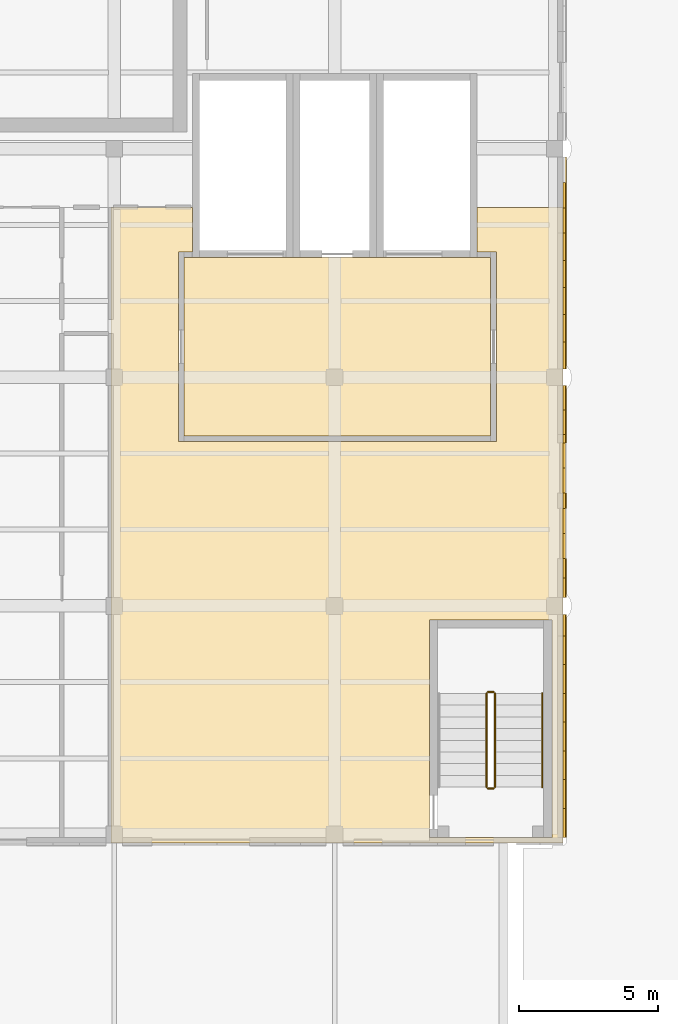
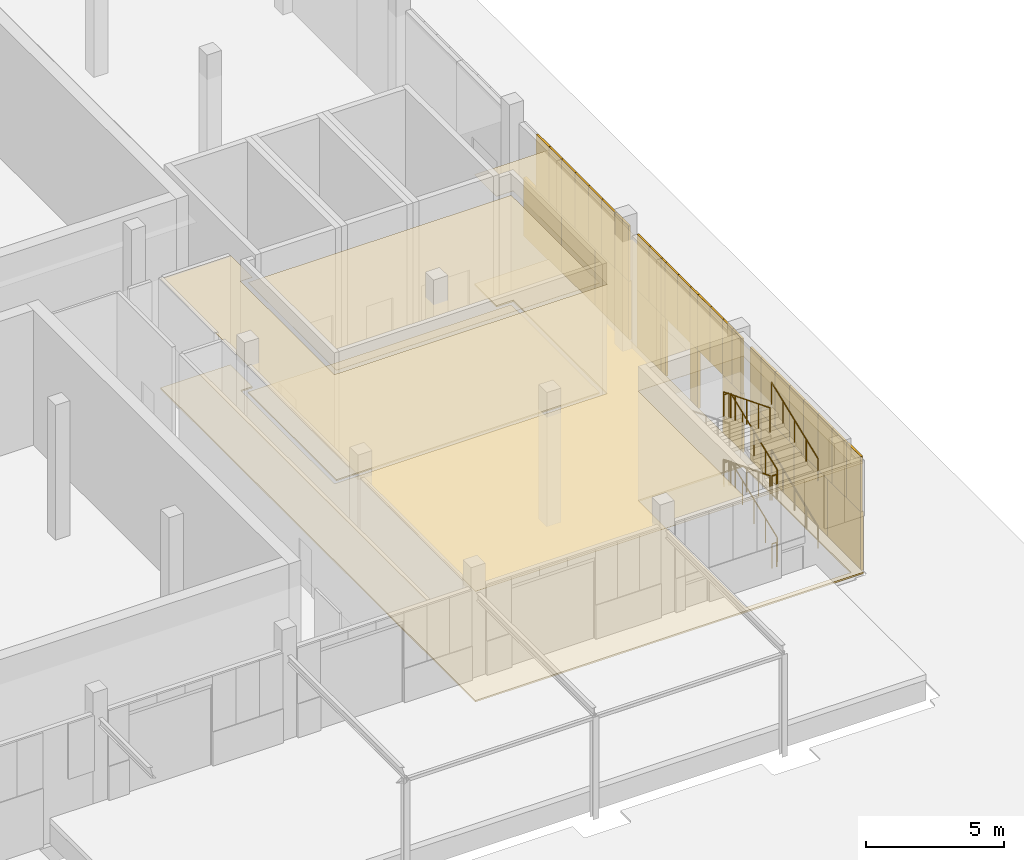
# One storey, part 149 of 155: 40 coverings, 10 railings.
"""IFC4 building model written with IfcOpenShell, lengths in metres."""

from ifc_helpers import new_model, si_unit, direction, frame, origin, origin_2d, place, context, subcontext, project, spatial, polyline, rectangle, circle, outline, extrude, material, layer, layer_set, type_object, element, save


model = new_model("IFC4")

# Units and contexts
model_context = context("Model", 3, precision=1e-05, world=origin(), true_north=direction((0.0, 1.0)))
body_context = subcontext(model_context, "Body", "Model", "MODEL_VIEW")
ifc_project = project(units=[si_unit("LENGTHUNIT", "METRE"), si_unit("AREAUNIT", "SQUARE_METRE"), si_unit("VOLUMEUNIT", "CUBIC_METRE"), si_unit("PLANEANGLEUNIT", "RADIAN"), si_unit("MASSUNIT", "GRAM", prefix="KILO")], contexts=[model_context])

# Site, building, storey
site_placement = place(None, origin())
site = spatial("IfcSite", under=ifc_project, at=site_placement, CompositionType="ELEMENT")
building_placement = place(site_placement, origin())
building = spatial("IfcBuilding", under=site, at=building_placement, Name="Lunette Opera House", CompositionType="ELEMENT")
storey_placement = place(building_placement, origin())
storey = spatial("IfcBuildingStorey", under=building, at=storey_placement, Name="L00", CompositionType="ELEMENT", Elevation=0.0)

# Coverings
ifc_material_1 = material(Name="Clinker brick", Category="masonry")
ifc_layer_1 = layer(ifc_material_1, 0.114990234375)
ifc_layer_set_1 = layer_set([ifc_layer_1], Name="Clinker brick")
covering_type_1 = type_object("IfcCoveringType", Name="CLINKER CLADDING 115", PredefinedType="CLADDING", material=ifc_layer_set_1)
for number, where, z_axis, x_axis, name in (
    (1, (184.05810546875, 79.404052734375, 0.0), (0.0, 0.0, 1.0), (0.0, 1.0, 0.0), "Clinker Cladding 115 WB L00"),
    (2, (184.05810546875, 81.81201171875, 0.0), (0.0, 0.0, 1.0), (0.0, 1.0, 0.0), "Clinker Cladding 115 WB L00"),
    (3, (184.05810546875, 84.220947265625, 0.0), (0.0, 0.0, 1.0), (0.0, 1.0, 0.0), "Clinker Cladding 115 WB L00"),
):
    element("IfcCovering", number, at=place(storey_placement, frame(where, z_axis=z_axis, x_axis=x_axis)), inside=storey, type_object=covering_type_1, Name=name, PredefinedType="CLADDING", context=body_context, shape_type="SweptSolid", body=[
        extrude(rectangle(XDim=2.407958984375, YDim=0.114990234375, at=origin_2d()), origin(), (0.0, 0.0, 1.0), 2.60009765625),
    ])
covering_1_placement = place(storey_placement, frame((184.05810546875, 85.81201171875, 0.0), z_axis=(0.0, 0.0, 1.0), x_axis=(0.0, 1.0, 0.0)))
element("IfcCovering", 4, at=covering_1_placement, inside=storey, type_object=covering_type_1, Name="Clinker Cladding 115 WB L00", PredefinedType="CLADDING", context=body_context, shape_type="SweptSolid", body=[
    extrude(rectangle(XDim=0.77490234375, YDim=0.114990234375, at=origin_2d()), origin(), (0.0, 0.0, 1.0), 2.60009765625),
])
covering_2_placement = place(storey_placement, frame((184.05810546875, 87.5, 0.0), z_axis=(0.0, 0.0, 1.0), x_axis=(0.0, 1.0, 0.0)))
element("IfcCovering", 5, at=covering_2_placement, inside=storey, type_object=covering_type_1, Name="Clinker Cladding 115 WB L00", PredefinedType="CLADDING", context=body_context, shape_type="SweptSolid", body=[
    extrude(rectangle(XDim=1.39990234375, YDim=0.114990234375, at=origin_2d()), origin(), (0.0, 0.0, 1.0), 2.60009765625),
])
covering_3_placement = place(storey_placement, frame((184.05810546875, 90.27490234375, 0.0), z_axis=(0.0, 0.0, 1.0), x_axis=(0.0, 1.0, 0.0)))
element("IfcCovering", 6, at=covering_3_placement, inside=storey, type_object=covering_type_1, Name="Clinker Cladding 115 WB L00", PredefinedType="CLADDING", context=body_context, shape_type="SweptSolid", body=[
    extrude(rectangle(XDim=0.550048828125, YDim=0.114990234375, at=origin_2d()), origin(), (0.0, 0.0, 1.0), 2.60009765625),
])
covering_4_placement = place(storey_placement, frame((184.05810546875, 92.5, 0.0), z_axis=(0.0, 0.0, 1.0), x_axis=(0.0, 1.0, 0.0)))
element("IfcCovering", 7, at=covering_4_placement, inside=storey, type_object=covering_type_1, Name="Clinker Cladding 115 WB L00", PredefinedType="CLADDING", context=body_context, shape_type="SweptSolid", body=[
    extrude(rectangle(XDim=0.300048828125, YDim=0.114990234375, at=origin_2d()), origin(), (0.0, 0.0, 1.0), 2.60009765625),
])
covering_5_placement = place(storey_placement, frame((184.05810546875, 93.52490234375, 0.0), z_axis=(0.0, 0.0, 1.0), x_axis=(0.0, 1.0, 0.0)))
element("IfcCovering", 8, at=covering_5_placement, inside=storey, type_object=covering_type_1, Name="Clinker Cladding 115 WB L00", PredefinedType="CLADDING", context=body_context, shape_type="SweptSolid", body=[
    extrude(rectangle(XDim=1.75, YDim=0.114990234375, at=origin_2d()), origin(), (0.0, 0.0, 1.0), 2.60009765625),
])
for number, where, z_axis, x_axis, name in (
    (9, (184.05810546875, 96.218994140625, 0.0), (0.0, 0.0, 1.0), (0.0, 1.0, 0.0), "Clinker Cladding 115 WB L00"),
    (10, (184.05810546875, 98.656005859375, 0.0), (0.0, 0.0, 1.0), (0.0, 1.0, 0.0), "Clinker Cladding 115 WB L00"),
):
    element("IfcCovering", number, at=place(storey_placement, frame(where, z_axis=z_axis, x_axis=x_axis)), inside=storey, type_object=covering_type_1, Name=name, PredefinedType="CLADDING", context=body_context, shape_type="SweptSolid", body=[
        extrude(rectangle(XDim=2.43798828125, YDim=0.114990234375, at=origin_2d()), origin(), (0.0, 0.0, 1.0), 2.60009765625),
    ])
covering_6_placement = place(storey_placement, frame((184.05810546875, 101.237060546875, 0.0), z_axis=(0.0, 0.0, 1.0), x_axis=(0.0, 1.0, 0.0)))
element("IfcCovering", 11, at=covering_6_placement, inside=storey, type_object=covering_type_1, Name="Clinker Cladding 115 WB L00", PredefinedType="CLADDING", context=body_context, shape_type="SweptSolid", body=[
    extrude(rectangle(XDim=2.72509765625, YDim=0.114990234375, at=origin_2d()), origin(), (0.0, 0.0, 1.0), 2.60009765625),
])
ifc_material_2 = material(Name="Dark grey aluminium cassette", Category="aluminium")
ifc_layer_2 = layer(ifc_material_2, 0.080078125)
ifc_layer_set_2 = layer_set([ifc_layer_2], Name="Dark grey aluminium cassette")
covering_type_2 = type_object("IfcCoveringType", Name="DARK METAL CASSETTE 80", PredefinedType="CLADDING", material=ifc_layer_set_2)
for number, where, z_axis, x_axis, name in (
    (12, (184.0400390625, 78.716064453125, 2.60009765625), (0.0, 0.0, 1.0), (0.0, 1.0, 0.0), "Dark Metal Cassette 80 WK L00"),
    (13, (184.0400390625, 79.748046875, 2.60009765625), (0.0, 0.0, 1.0), (0.0, 1.0, 0.0), "Dark Metal Cassette 80 WK L00"),
    (14, (184.0400390625, 80.780029296875, 2.60009765625), (0.0, 0.0, 1.0), (0.0, 1.0, 0.0), "Dark Metal Cassette 80 WK L00"),
    (15, (184.0400390625, 81.81201171875, 2.60009765625), (0.0, 0.0, 1.0), (0.0, 1.0, 0.0), "Dark Metal Cassette 80 WK L00"),
    (16, (184.0400390625, 82.844970703125, 2.60009765625), (0.0, 0.0, 1.0), (0.0, 1.0, 0.0), "Dark Metal Cassette 80 WK L00"),
    (17, (184.0400390625, 83.876953125, 2.60009765625), (0.0, 0.0, 1.0), (0.0, 1.0, 0.0), "Dark Metal Cassette 80 WK L00"),
    (18, (184.0400390625, 84.908935546875, 2.60009765625), (0.0, 0.0, 1.0), (0.0, 1.0, 0.0), "Dark Metal Cassette 80 WK L00"),
):
    element("IfcCovering", number, at=place(storey_placement, frame(where, z_axis=z_axis, x_axis=x_axis)), inside=storey, type_object=covering_type_2, Name=name, PredefinedType="CLADDING", context=body_context, shape_type="SweptSolid", body=[
        extrude(rectangle(XDim=1.031982421875, YDim=0.080078125, at=origin_2d()), origin(), (0.0, 0.0, 1.0), 2.449951171875),
    ])
covering_7_placement = place(storey_placement, frame((184.0400390625, 85.81201171875, 2.60009765625), z_axis=(0.0, 0.0, 1.0), x_axis=(0.0, 1.0, 0.0)))
element("IfcCovering", 19, at=covering_7_placement, inside=storey, type_object=covering_type_2, Name="Dark Metal Cassette 80 WK L00", PredefinedType="CLADDING", context=body_context, shape_type="SweptSolid", body=[
    extrude(rectangle(XDim=0.77490234375, YDim=0.080078125, at=origin_2d()), origin(), (0.0, 0.0, 1.0), 2.449951171875),
])
for number, where, z_axis, x_axis, name in (
    (20, (184.0400390625, 87.14990234375, 2.60009765625), (0.0, 0.0, 1.0), (0.0, 1.0, 0.0), "Dark Metal Cassette 80 WK L00"),
    (21, (184.0400390625, 87.85009765625, 2.60009765625), (0.0, 0.0, 1.0), (0.0, 1.0, 0.0), "Dark Metal Cassette 80 WK L00"),
):
    element("IfcCovering", number, at=place(storey_placement, frame(where, z_axis=z_axis, x_axis=x_axis)), inside=storey, type_object=covering_type_2, Name=name, PredefinedType="CLADDING", context=body_context, shape_type="SweptSolid", body=[
        extrude(rectangle(XDim=0.699951171875, YDim=0.080078125, at=origin_2d()), origin(), (0.0, 0.0, 1.0), 2.449951171875),
    ])
for number, where, z_axis, x_axis, name in (
    (22, (184.0400390625, 88.64990234375, 2.60009765625), (0.0, 0.0, 1.0), (0.0, 1.0, 0.0), "Dark Metal Cassette 80 WK L00"),
    (23, (184.0400390625, 89.550048828125, 2.60009765625), (0.0, 0.0, 1.0), (0.0, 1.0, 0.0), "Dark Metal Cassette 80 WK L00"),
):
    element("IfcCovering", number, at=place(storey_placement, frame(where, z_axis=z_axis, x_axis=x_axis)), inside=storey, type_object=covering_type_2, Name=name, PredefinedType="CLADDING", context=body_context, shape_type="SweptSolid", body=[
        extrude(rectangle(XDim=0.89990234375, YDim=0.080078125, at=origin_2d()), origin(), (0.0, 0.0, 1.0), 2.449951171875),
    ])
covering_8_placement = place(storey_placement, frame((184.0400390625, 90.27490234375, 2.60009765625), z_axis=(0.0, 0.0, 1.0), x_axis=(0.0, 1.0, 0.0)))
element("IfcCovering", 24, at=covering_8_placement, inside=storey, type_object=covering_type_2, Name="Dark Metal Cassette 80 WK L00", PredefinedType="CLADDING", context=body_context, shape_type="SweptSolid", body=[
    extrude(rectangle(XDim=0.550048828125, YDim=0.080078125, at=origin_2d()), origin(), (0.0, 0.0, 1.0), 2.449951171875),
])
for number, where, z_axis, x_axis, name in (
    (25, (184.0400390625, 91.0, 2.60009765625), (0.0, 0.0, 1.0), (0.0, 1.0, 0.0), "Dark Metal Cassette 80 WK L00"),
    (26, (184.0400390625, 91.89990234375, 2.60009765625), (0.0, 0.0, 1.0), (0.0, 1.0, 0.0), "Dark Metal Cassette 80 WK L00"),
):
    element("IfcCovering", number, at=place(storey_placement, frame(where, z_axis=z_axis, x_axis=x_axis)), inside=storey, type_object=covering_type_2, Name=name, PredefinedType="CLADDING", context=body_context, shape_type="SweptSolid", body=[
        extrude(rectangle(XDim=0.89990234375, YDim=0.080078125, at=origin_2d()), origin(), (0.0, 0.0, 1.0), 2.449951171875),
    ])
covering_9_placement = place(storey_placement, frame((184.0400390625, 92.5, 2.60009765625), z_axis=(0.0, 0.0, 1.0), x_axis=(0.0, 1.0, 0.0)))
element("IfcCovering", 27, at=covering_9_placement, inside=storey, type_object=covering_type_2, Name="Dark Metal Cassette 80 WK L00", PredefinedType="CLADDING", context=body_context, shape_type="SweptSolid", body=[
    extrude(rectangle(XDim=0.300048828125, YDim=0.080078125, at=origin_2d()), origin(), (0.0, 0.0, 1.0), 2.449951171875),
])
for number, where, z_axis, x_axis, name in (
    (28, (184.0400390625, 93.087890625, 2.60009765625), (0.0, 0.0, 1.0), (0.0, 1.0, 0.0), "Dark Metal Cassette 80 WK L00"),
    (29, (184.0400390625, 93.962890625, 2.60009765625), (0.0, 0.0, 1.0), (0.0, 1.0, 0.0), "Dark Metal Cassette 80 WK L00"),
):
    element("IfcCovering", number, at=place(storey_placement, frame(where, z_axis=z_axis, x_axis=x_axis)), inside=storey, type_object=covering_type_2, Name=name, PredefinedType="CLADDING", context=body_context, shape_type="SweptSolid", body=[
        extrude(rectangle(XDim=0.875, YDim=0.080078125, at=origin_2d()), origin(), (0.0, 0.0, 1.0), 2.449951171875),
    ])
for number, where, z_axis, x_axis, name in (
    (30, (184.0400390625, 95.487060546875, 2.60009765625), (0.0, 0.0, 1.0), (0.0, 1.0, 0.0), "Dark Metal Cassette 80 WK L00"),
    (31, (184.0400390625, 96.462890625, 2.60009765625), (0.0, 0.0, 1.0), (0.0, 1.0, 0.0), "Dark Metal Cassette 80 WK L00"),
    (32, (184.0400390625, 97.43798828125, 2.60009765625), (0.0, 0.0, 1.0), (0.0, 1.0, 0.0), "Dark Metal Cassette 80 WK L00"),
    (33, (184.0400390625, 98.412109375, 2.60009765625), (0.0, 0.0, 1.0), (0.0, 1.0, 0.0), "Dark Metal Cassette 80 WK L00"),
    (34, (184.0400390625, 99.387939453125, 2.60009765625), (0.0, 0.0, 1.0), (0.0, 1.0, 0.0), "Dark Metal Cassette 80 WK L00"),
):
    element("IfcCovering", number, at=place(storey_placement, frame(where, z_axis=z_axis, x_axis=x_axis)), inside=storey, type_object=covering_type_2, Name=name, PredefinedType="CLADDING", context=body_context, shape_type="SweptSolid", body=[
        extrude(rectangle(XDim=0.97509765625, YDim=0.080078125, at=origin_2d()), origin(), (0.0, 0.0, 1.0), 2.449951171875),
    ])
for number, where, z_axis, x_axis, name in (
    (35, (184.0400390625, 100.3291015625, 2.60009765625), (0.0, 0.0, 1.0), (0.0, 1.0, 0.0), "Dark Metal Cassette 80 WK L00"),
    (36, (184.0400390625, 101.237060546875, 2.60009765625), (0.0, 0.0, 1.0), (0.0, 1.0, 0.0), "Dark Metal Cassette 80 WK L00"),
):
    element("IfcCovering", number, at=place(storey_placement, frame(where, z_axis=z_axis, x_axis=x_axis)), inside=storey, type_object=covering_type_2, Name=name, PredefinedType="CLADDING", context=body_context, shape_type="SweptSolid", body=[
        extrude(rectangle(XDim=0.907958984375, YDim=0.080078125, at=origin_2d()), origin(), (0.0, 0.0, 1.0), 2.449951171875),
    ])
ifc_material_3 = material(Name="Cement screed")
ifc_layer_3 = layer(ifc_material_3, 0.070068359375)
ifc_layer_set_3 = layer_set([ifc_layer_3], Name="Cement screed")
covering_type_3 = type_object("IfcCoveringType", Name="SCREED FLOOR FINISH 70", PredefinedType="FLOORING", material=ifc_layer_set_3)
covering_10_placement = place(storey_placement, origin())
element("IfcCovering", 37, at=covering_10_placement, inside=storey, type_object=covering_type_3, Name="Floor finish Scenery Store Ground", PredefinedType="FLOORING", context=body_context, shape_type="SweptSolid", body=[
    extrude(outline(polyline([(170.199951171875, 92.39990234375), (181.60009765625, 92.39990234375), (181.60009765625, 99.199951171875), (180.89990234375, 99.199951171875), (180.89990234375, 100.800048828125), (184.0, 100.800048828125), (184.0, 78.0), (167.781005859375, 78.0), (167.781005859375, 100.800048828125), (170.699951171875, 100.800048828125), (170.699951171875, 99.199951171875), (170.199951171875, 99.199951171875), (170.199951171875, 92.39990234375)]), holes=[polyline([(179.199951171875, 78.199951171875), (183.60009765625, 78.199951171875), (183.60009765625, 86.0), (179.199951171875, 86.0), (179.199951171875, 78.199951171875)])]), origin(), (0.0, 0.0, 1.0), 0.070068359375),
])

# Railings
ifc_material_4 = material(Name="Steel S355", Category="steel")
railing_type_1 = type_object("IfcRailingType", Name="STAIR GUARD 1100", PredefinedType="GUARDRAIL", material=ifc_material_4)
railing_1_placement = place(storey_placement, frame((181.550048828125, 80.0, 0.166748046875)))
element("IfcRailing", 38, at=railing_1_placement, inside=storey, type_object=railing_type_1, Name="L00 ST20 stair guard 1", PredefinedType="GUARDRAIL", context=body_context, shape_type="SweptSolid", body=[
    extrude(circle(Radius=0.02392578125, at=origin_2d()), frame((0.0, 0.0, 1.076171875), z_axis=(0.0, 0.929502471486, 0.368815882931), x_axis=(-1.0, 0.0, 0.0)), (0.0, 0.0, 1.0), 3.614990234375),
    extrude(circle(Radius=0.02099609375, at=origin_2d()), origin(), (0.0, 0.0, 1.0), 1.052001953125),
    extrude(circle(Radius=0.02099609375, at=origin_2d()), frame((0.0, 0.840087890625, 0.333251953125)), (0.0, 0.0, 1.0), 1.052001953125),
    extrude(circle(Radius=0.02099609375, at=origin_2d()), frame((0.0, 1.68017578125, 0.66650390625)), (0.0, 0.0, 1.0), 1.052001953125),
    extrude(circle(Radius=0.02099609375, at=origin_2d()), frame((0.0, 2.52001953125, 1.0)), (0.0, 0.0, 1.0), 1.052001953125),
    extrude(circle(Radius=0.02099609375, at=origin_2d()), frame((0.0, 3.360107421875, 1.333251953125)), (0.0, 0.0, 1.0), 1.052001953125),
])
railing_2_placement = place(storey_placement, frame((181.5, 83.409912109375, 1.5)))
element("IfcRailing", 39, at=railing_2_placement, inside=storey, type_object=railing_type_1, Name="L00 ST20 stair guard 2", PredefinedType="GUARDRAIL", context=body_context, shape_type="SweptSolid", body=[
    extrude(circle(Radius=0.02392578125, at=origin_2d()), frame((0.0, 0.0, 1.076171875), z_axis=(-1.0, 0.0, 0.0), x_axis=(0.0, -1.0, 0.0)), (0.0, 0.0, 1.0), 0.199951171875),
    extrude(circle(Radius=0.02099609375, at=origin_2d()), origin(), (0.0, 0.0, 1.0), 1.052001953125),
    extrude(circle(Radius=0.02099609375, at=origin_2d()), frame((-0.199951171875, 0.0, 0.0)), (0.0, 0.0, 1.0), 1.052001953125),
])
railing_3_placement = place(storey_placement, frame((181.25, 83.360107421875, 1.666748046875)))
element("IfcRailing", 40, at=railing_3_placement, inside=storey, type_object=railing_type_1, Name="L00 ST20 stair guard 3", PredefinedType="GUARDRAIL", context=body_context, shape_type="SweptSolid", body=[
    extrude(circle(Radius=0.02392578125, at=origin_2d()), frame((0.0, 0.0, 1.076171875), z_axis=(0.0, -0.929502471486, 0.368815882931), x_axis=(1.0, 0.0, 0.0)), (0.0, 0.0, 1.0), 3.614990234375),
    extrude(circle(Radius=0.02099609375, at=origin_2d()), origin(), (0.0, 0.0, 1.0), 1.052001953125),
    extrude(circle(Radius=0.02099609375, at=origin_2d()), frame((0.0, -0.840087890625, 0.333251953125)), (0.0, 0.0, 1.0), 1.052001953125),
    extrude(circle(Radius=0.02099609375, at=origin_2d()), frame((0.0, -1.68017578125, 0.66650390625)), (0.0, 0.0, 1.0), 1.052001953125),
    extrude(circle(Radius=0.02099609375, at=origin_2d()), frame((0.0, -2.52001953125, 1.0)), (0.0, 0.0, 1.0), 1.052001953125),
    extrude(circle(Radius=0.02099609375, at=origin_2d()), frame((0.0, -3.360107421875, 1.333251953125)), (0.0, 0.0, 1.0), 1.052001953125),
])
railing_4_placement = place(storey_placement, frame((181.5, 79.949951171875, 3.0)))
element("IfcRailing", 41, at=railing_4_placement, inside=storey, type_object=railing_type_1, Name="L00 ST20 stair guard 4", PredefinedType="GUARDRAIL", context=body_context, shape_type="SweptSolid", body=[
    extrude(circle(Radius=0.02392578125, at=origin_2d()), frame((0.0, 0.0, 1.076171875), z_axis=(-1.0, 0.0, 0.0), x_axis=(0.0, -1.0, 0.0)), (0.0, 0.0, 1.0), 0.199951171875),
    extrude(circle(Radius=0.02099609375, at=origin_2d()), origin(), (0.0, 0.0, 1.0), 1.052001953125),
    extrude(circle(Radius=0.02099609375, at=origin_2d()), frame((-0.199951171875, 0.0, 0.0)), (0.0, 0.0, 1.0), 1.052001953125),
])
railing_5_placement = place(storey_placement, frame((181.550048828125, 80.0, 3.166748046875)))
element("IfcRailing", 42, at=railing_5_placement, inside=storey, type_object=railing_type_1, Name="L00 ST20 stair guard 5", PredefinedType="GUARDRAIL", context=body_context, shape_type="SweptSolid", body=[
    extrude(circle(Radius=0.02392578125, at=origin_2d()), frame((0.0, 0.0, 1.076171875), z_axis=(0.0, 0.929502471486, 0.368815882931), x_axis=(-1.0, 0.0, 0.0)), (0.0, 0.0, 1.0), 3.614990234375),
    extrude(circle(Radius=0.02099609375, at=origin_2d()), origin(), (0.0, 0.0, 1.0), 1.052001953125),
    extrude(circle(Radius=0.02099609375, at=origin_2d()), frame((0.0, 0.840087890625, 0.333251953125)), (0.0, 0.0, 1.0), 1.052001953125),
    extrude(circle(Radius=0.02099609375, at=origin_2d()), frame((0.0, 1.68017578125, 0.66650390625)), (0.0, 0.0, 1.0), 1.052001953125),
    extrude(circle(Radius=0.02099609375, at=origin_2d()), frame((0.0, 2.52001953125, 1.0)), (0.0, 0.0, 1.0), 1.052001953125),
    extrude(circle(Radius=0.02099609375, at=origin_2d()), frame((0.0, 3.360107421875, 1.333251953125)), (0.0, 0.0, 1.0), 1.052001953125),
])
railing_6_placement = place(storey_placement, frame((181.5, 83.409912109375, 4.5)))
element("IfcRailing", 43, at=railing_6_placement, inside=storey, type_object=railing_type_1, Name="L00 ST20 stair guard 6", PredefinedType="GUARDRAIL", context=body_context, shape_type="SweptSolid", body=[
    extrude(circle(Radius=0.02392578125, at=origin_2d()), frame((0.0, 0.0, 1.076171875), z_axis=(-1.0, 0.0, 0.0), x_axis=(0.0, -1.0, 0.0)), (0.0, 0.0, 1.0), 0.199951171875),
    extrude(circle(Radius=0.02099609375, at=origin_2d()), origin(), (0.0, 0.0, 1.0), 1.052001953125),
    extrude(circle(Radius=0.02099609375, at=origin_2d()), frame((-0.199951171875, 0.0, 0.0)), (0.0, 0.0, 1.0), 1.052001953125),
])
railing_7_placement = place(storey_placement, frame((181.25, 83.360107421875, 4.666748046875)))
element("IfcRailing", 44, at=railing_7_placement, inside=storey, type_object=railing_type_1, Name="L00 ST20 stair guard 7", PredefinedType="GUARDRAIL", context=body_context, shape_type="SweptSolid", body=[
    extrude(circle(Radius=0.02392578125, at=origin_2d()), frame((0.0, 0.0, 1.076171875), z_axis=(0.0, -0.929502471486, 0.368815882931), x_axis=(1.0, 0.0, 0.0)), (0.0, 0.0, 1.0), 3.614990234375),
    extrude(circle(Radius=0.02099609375, at=origin_2d()), origin(), (0.0, 0.0, 1.0), 1.052001953125),
    extrude(circle(Radius=0.02099609375, at=origin_2d()), frame((0.0, -0.840087890625, 0.333251953125)), (0.0, 0.0, 1.0), 1.052001953125),
    extrude(circle(Radius=0.02099609375, at=origin_2d()), frame((0.0, -1.68017578125, 0.66650390625)), (0.0, 0.0, 1.0), 1.052001953125),
    extrude(circle(Radius=0.02099609375, at=origin_2d()), frame((0.0, -2.52001953125, 1.0)), (0.0, 0.0, 1.0), 1.052001953125),
    extrude(circle(Radius=0.02099609375, at=origin_2d()), frame((0.0, -3.360107421875, 1.333251953125)), (0.0, 0.0, 1.0), 1.052001953125),
])
railing_8_placement = place(storey_placement, frame((181.5, 79.949951171875, 0.0)))
element("IfcRailing", 45, at=railing_8_placement, inside=storey, type_object=railing_type_1, Name="L00 ST20 stair guard 8", PredefinedType="GUARDRAIL", context=body_context, shape_type="SweptSolid", body=[
    extrude(circle(Radius=0.02392578125, at=origin_2d()), frame((0.0, 0.0, 1.076171875), z_axis=(-1.0, 0.0, 0.0), x_axis=(0.0, -1.0, 0.0)), (0.0, 0.0, 1.0), 0.199951171875),
    extrude(circle(Radius=0.02099609375, at=origin_2d()), origin(), (0.0, 0.0, 1.0), 1.052001953125),
    extrude(circle(Radius=0.02099609375, at=origin_2d()), frame((-0.199951171875, 0.0, 0.0)), (0.0, 0.0, 1.0), 1.052001953125),
])
ifc_material_5 = material(Name="Steel S355", Category="steel")
railing_type_2 = type_object("IfcRailingType", Name="STAIR HANDRAIL 1000", PredefinedType="HANDRAIL", material=ifc_material_5)
for number, where, name in (
    (46, (183.25, 80.0, 0.166748046875), "L00 ST20 stair handrail 1"),
    (47, (183.25, 80.0, 3.166748046875), "L00 ST20 stair handrail 3"),
):
    element("IfcRailing", number, at=place(storey_placement, frame(where)), inside=storey, type_object=railing_type_2, Name=name, PredefinedType="HANDRAIL", context=body_context, shape_type="SweptSolid", body=[
        extrude(circle(Radius=0.02392578125, at=origin_2d()), frame((0.0, 0.0, 0.97607421875), z_axis=(0.0, 0.929502471486, 0.368815882931), x_axis=(-1.0, 0.0, 0.0)), (0.0, 0.0, 1.0), 3.614990234375),
        extrude(circle(Radius=0.02099609375, at=origin_2d()), origin(), (0.0, 0.0, 1.0), 0.951904296875),
        extrude(circle(Radius=0.02099609375, at=origin_2d()), frame((0.0, 0.840087890625, 0.333251953125)), (0.0, 0.0, 1.0), 0.951904296875),
        extrude(circle(Radius=0.02099609375, at=origin_2d()), frame((0.0, 1.68017578125, 0.66650390625)), (0.0, 0.0, 1.0), 0.951904296875),
        extrude(circle(Radius=0.02099609375, at=origin_2d()), frame((0.0, 2.52001953125, 1.0)), (0.0, 0.0, 1.0), 0.951904296875),
        extrude(circle(Radius=0.02099609375, at=origin_2d()), frame((0.0, 3.360107421875, 1.333251953125)), (0.0, 0.0, 1.0), 0.951904296875),
    ])

# Coverings
ifc_material_6 = material(Name="Mineral fibre board")
ifc_layer_4 = layer(ifc_material_6, 0.014892578125)
ifc_layer_set_4 = layer_set([ifc_layer_4], Name="Mineral fibre board")
covering_type_4 = type_object("IfcCoveringType", Name="SUSPENDED ACOUSTIC CEILING 15", PredefinedType="CEILING", material=ifc_layer_set_4)
covering_11_placement = place(storey_placement, frame((0.0, 0.0, 4.885009765625)))
element("IfcCovering", 48, at=covering_11_placement, inside=storey, type_object=covering_type_4, Name="Ceiling Lift Lobby L00 Goods", PredefinedType="CEILING", context=body_context, shape_type="SweptSolid", body=[
    extrude(outline(polyline([(181.39990234375, 92.60009765625), (181.39990234375, 99.0), (170.39990234375, 99.0), (170.39990234375, 92.60009765625), (181.39990234375, 92.60009765625)])), origin(), (0.0, 0.0, 1.0), 0.014892578125),
])
covering_12_placement = place(storey_placement, frame((0.0, 0.0, 4.885009765625)))
element("IfcCovering", 49, at=covering_12_placement, inside=storey, type_object=covering_type_4, Name="Ceiling Scenery Store Ground", PredefinedType="CEILING", context=body_context, shape_type="SweptSolid", body=[
    extrude(outline(polyline([(170.199951171875, 92.39990234375), (181.60009765625, 92.39990234375), (181.60009765625, 99.199951171875), (180.89990234375, 99.199951171875), (180.89990234375, 100.800048828125), (184.0, 100.800048828125), (184.0, 78.0), (167.781005859375, 78.0), (167.781005859375, 100.800048828125), (170.699951171875, 100.800048828125), (170.699951171875, 99.199951171875), (170.199951171875, 99.199951171875), (170.199951171875, 92.39990234375)]), holes=[polyline([(179.199951171875, 78.199951171875), (183.60009765625, 78.199951171875), (183.60009765625, 86.0), (179.199951171875, 86.0), (179.199951171875, 78.199951171875)])]), origin(), (0.0, 0.0, 1.0), 0.014892578125),
])
ifc_material_7 = material(Name="Terrazzo")
ifc_layer_5 = layer(ifc_material_7, 0.06005859375)
ifc_layer_set_5 = layer_set([ifc_layer_5], Name="Terrazzo")
covering_type_5 = type_object("IfcCoveringType", Name="TERRAZZO FLOOR FINISH 60", PredefinedType="FLOORING", material=ifc_layer_set_5)
covering_13_placement = place(storey_placement, origin())
element("IfcCovering", 50, at=covering_13_placement, inside=storey, type_object=covering_type_5, Name="Floor finish Lift Lobby L00 Goods", PredefinedType="FLOORING", context=body_context, shape_type="SweptSolid", body=[
    extrude(outline(polyline([(181.39990234375, 92.60009765625), (181.39990234375, 99.0), (170.39990234375, 99.0), (170.39990234375, 92.60009765625), (181.39990234375, 92.60009765625)])), origin(), (0.0, 0.0, 1.0), 0.06005859375),
])

save(model, "model.ifc")
